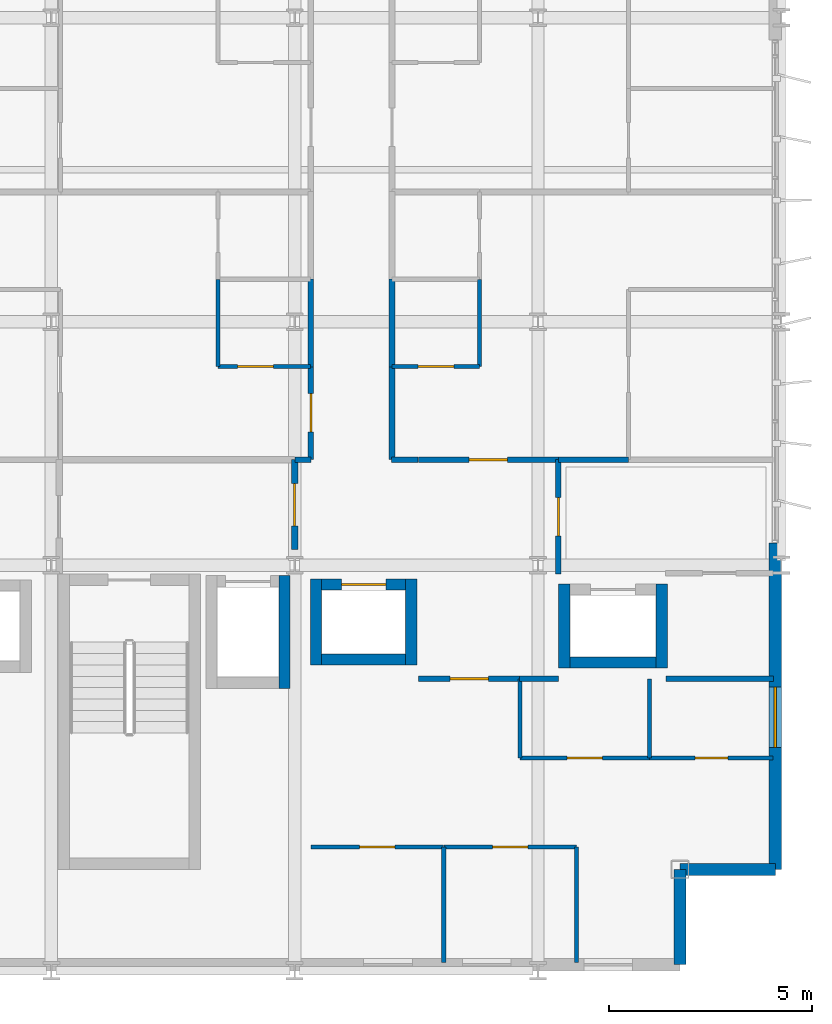
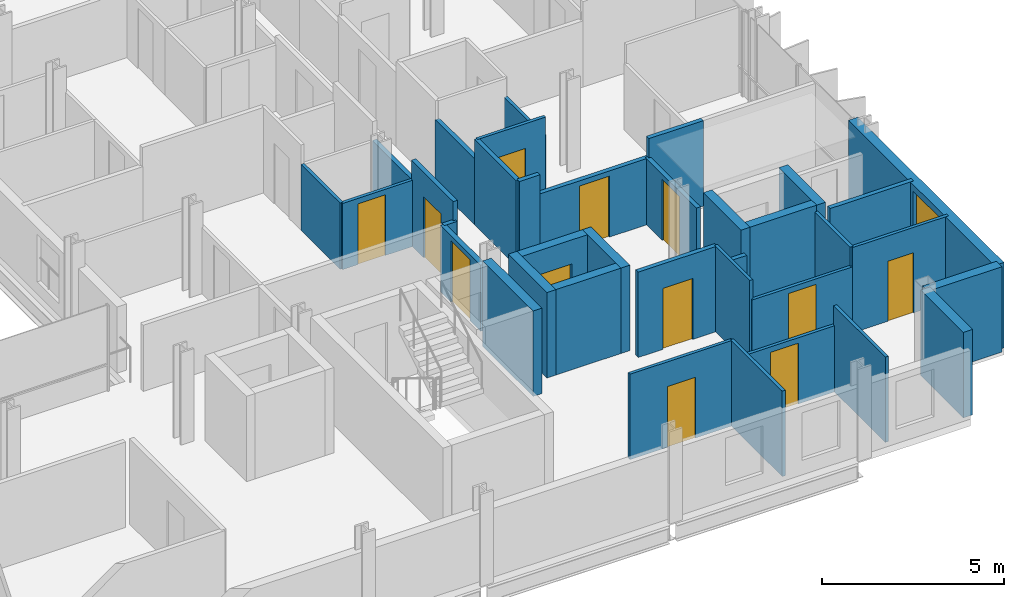
# One storey, part 31 of 39: 36 walls, 12 doors, 1 window, 13 openings.
"""IFC4 building model written with IfcOpenShell, lengths in metres."""

from ifc_helpers import new_model, si_unit, direction, frame, frame_2d, origin, place, context, subcontext, project, spatial, rectangle, extrude, material, layer, layer_set, type_object, element, fill, save


model = new_model("IFC4")

# Units and contexts
model_context = context("Model", 3, precision=1e-05, world=origin(), true_north=direction((0.0, 1.0)))
body_context = subcontext(model_context, "Body", "Model", "MODEL_VIEW")
ifc_project = project(units=[si_unit("LENGTHUNIT", "METRE"), si_unit("AREAUNIT", "SQUARE_METRE"), si_unit("VOLUMEUNIT", "CUBIC_METRE"), si_unit("PLANEANGLEUNIT", "RADIAN"), si_unit("MASSUNIT", "GRAM", prefix="KILO")], contexts=[model_context])

# Site, building, storey
site_placement = place(None, origin())
site = spatial("IfcSite", under=ifc_project, at=site_placement, CompositionType="ELEMENT")
building_placement = place(site_placement, origin())
building = spatial("IfcBuilding", under=site, at=building_placement, Name="Brevholm Reach", CompositionType="ELEMENT")
storey_placement = place(building_placement, frame((0.0, 0.0, 77.60009765625)))
storey = spatial("IfcBuildingStorey", under=building, at=storey_placement, Name="L22", CompositionType="ELEMENT", Elevation=77.60009765625)

# Walls
ifc_material_1 = material(Name="Concrete C50/60", Category="concrete")
ifc_layer_1 = layer(ifc_material_1, 0.280029296875)
ifc_layer_set_1 = layer_set([ifc_layer_1], Name="Concrete C50/60")
wall_type_1 = type_object("IfcWallType", Name="WAL-COR-280", PredefinedType="SHEAR", material=ifc_layer_set_1)
wall_1_placement = place(storey_placement, frame((47.75, 6.9599609375, 0.0), z_axis=(0.0, 0.0, 1.0), x_axis=(0.0, 1.0, 0.0)))
element("IfcWall", 1, at=wall_1_placement, inside=storey, type_object=wall_type_1, Name="L22 Lift FFL-2 Shaft Wall E", PredefinedType="SHEAR", context=body_context, shape_type="SweptSolid", body=[
    extrude(rectangle(XDim=2.780029296875, YDim=0.280029296875, at=frame_2d((1.39013671875, 0.0))), origin(), (0.0, 0.0, 1.0), 2.869873046875),
])
for number, where, z_axis, x_axis, name in (
    (2, (48.52490234375, 7.534912109375, 0.0), (0.0, 0.0, 1.0), (0.0, 1.0, 0.0), "L22 Lift PL-L1 Shaft Wall W"),
    (3, (50.875, 7.534912109375, 0.0), (0.0, 0.0, 1.0), (0.0, 1.0, 0.0), "L22 Lift PL-L1 Shaft Wall E"),
):
    element("IfcWall", number, at=place(storey_placement, frame(where, z_axis=z_axis, x_axis=x_axis)), inside=storey, type_object=wall_type_1, Name=name, PredefinedType="SHEAR", context=body_context, shape_type="SweptSolid", body=[
        extrude(rectangle(XDim=2.130126953125, YDim=0.280029296875, at=frame_2d((1.06494140625, 0.0))), origin(), (0.0, 0.0, 1.0), 2.869873046875),
    ])
wall_2_placement = place(storey_placement, frame((48.6650390625, 7.675048828125, 0.0), z_axis=(0.0, 0.0, 1.0), x_axis=(1.0, 0.0, 0.0)))
element("IfcWall", 4, at=wall_2_placement, inside=storey, type_object=wall_type_1, Name="L22 Lift PL-L1 Shaft Wall S", PredefinedType="SHEAR", context=body_context, shape_type="SweptSolid", body=[
    extrude(rectangle(XDim=2.070068359375, YDim=0.280029296875, at=frame_2d((1.03515625, 0.0))), origin(), (0.0, 0.0, 1.0), 2.869873046875),
])

# Wall, opening, door
wall_3_placement = place(storey_placement, frame((48.6650390625, 9.52490234375, 0.0), z_axis=(0.0, 0.0, 1.0), x_axis=(1.0, 0.0, 0.0)))
wall_3 = element("IfcWall", 5, at=wall_3_placement, inside=storey, type_object=wall_type_1, Name="L22 Lift PL-L1 Shaft Wall N", PredefinedType="SHEAR", context=body_context, shape_type="SweptSolid", body=[
    extrude(rectangle(XDim=2.070068359375, YDim=0.280029296875, at=frame_2d((1.03515625, 0.0))), origin(), (0.0, 0.0, 1.0), 2.869873046875),
])
opening_1_placement = place(wall_3_placement, frame((0.485107421875, 0.0, 0.0)))
opening_1 = element("IfcOpeningElement", 6, at=opening_1_placement, cuts=wall_3, Name="Opening LD-PL-L1", PredefinedType="OPENING", context=body_context, shape_type="SweptSolid", body=[
    extrude(rectangle(XDim=1.10009765625, YDim=2.06005859375, at=frame_2d((0.550048828125, 1.030029296875))), frame((0.0, 0.14990234375, 0.0), z_axis=(0.0, -1.0, 0.0), x_axis=(1.0, 0.0, 0.0)), (0.0, 0.0, 1.0), 0.300048828125),
])
ifc_material_2 = material(Name="Brushed Stainless Steel Fire-Rated Sliding Lift Door", Category="steel")
door_type_1 = type_object("IfcDoorType", Name="DOR-LFT-1100", OperationType="NOTDEFINED", PredefinedType="DOOR", material=ifc_material_2)
door_1_placement = place(opening_1_placement, origin())
door_1 = element("IfcDoor", 7, at=door_1_placement, inside=storey, type_object=door_type_1, Name="L22 Lift PL-L1 Sliding Landing Door", OperationType="SLIDING_TO_RIGHT", OverallHeight=2.06005859375, OverallWidth=1.10009765625, PredefinedType="DOOR", context=body_context, shape_type="SweptSolid", body=[
    extrude(rectangle(XDim=1.10009765625, YDim=2.06005859375, at=frame_2d((0.550048828125, 1.030029296875))), frame((0.0, 0.02490234375, 0.0), z_axis=(0.0, -1.0, 0.0), x_axis=(1.0, 0.0, 0.0)), (0.0, 0.0, 1.0), 0.050048828125),
])
fill(opening_1, door_1)

# Walls
for number, where, z_axis, x_axis, name in (
    (8, (54.64990234375, 7.4599609375, 0.0), (0.0, 0.0, 1.0), (0.0, 1.0, 0.0), "L22 Lift PL-L2 Shaft Wall W"),
    (9, (57.050048828125, 7.4599609375, 0.0), (0.0, 0.0, 1.0), (0.0, 1.0, 0.0), "L22 Lift PL-L2 Shaft Wall E"),
):
    element("IfcWall", number, at=place(storey_placement, frame(where, z_axis=z_axis, x_axis=x_axis)), inside=storey, type_object=wall_type_1, Name=name, PredefinedType="SHEAR", context=body_context, shape_type="SweptSolid", body=[
        extrude(rectangle(XDim=2.080078125, YDim=0.280029296875, at=frame_2d((1.0400390625, 0.0))), origin(), (0.0, 0.0, 1.0), 2.869873046875),
    ])
wall_4_placement = place(storey_placement, frame((54.7900390625, 7.60009765625, 0.0), z_axis=(0.0, 0.0, 1.0), x_axis=(1.0, 0.0, 0.0)))
element("IfcWall", 10, at=wall_4_placement, inside=storey, type_object=wall_type_1, Name="L22 Lift PL-L2 Shaft Wall S", PredefinedType="SHEAR", context=body_context, shape_type="SweptSolid", body=[
    extrude(rectangle(XDim=2.119873046875, YDim=0.280029296875, at=frame_2d((1.06005859375, 0.0))), origin(), (0.0, 0.0, 1.0), 2.869873046875),
])
ifc_material_3 = material(Name="Concrete C40/50", Category="concrete")
ifc_layer_2 = layer(ifc_material_3, 0.300048828125)
ifc_layer_set_2 = layer_set([ifc_layer_2], Name="Concrete C40/50")
wall_type_2 = type_object("IfcWallType", Name="WAL-EXT-300", PredefinedType="STANDARD", material=ifc_layer_set_2)
for number, where, z_axis, x_axis, name in (
    (11, (57.5, 0.14990234375, 0.0), (0.0, 0.0, 1.0), (0.0, 1.0, 0.0), "L22 Facade Wall WAL-L22-CSE1"),
    (12, (57.5, 2.5, 0.0), (0.0, 0.0, 1.0), (1.0, 0.0, 0.0), "L22 Facade Wall WAL-L22-CSE2"),
):
    element("IfcWall", number, at=place(storey_placement, frame(where, z_axis=z_axis, x_axis=x_axis)), inside=storey, type_object=wall_type_2, Name=name, PredefinedType="STANDARD", context=body_context, shape_type="SweptSolid", body=[
        extrude(rectangle(XDim=2.35009765625, YDim=0.300048828125, at=frame_2d((1.175048828125, 0.0))), origin(), (0.0, 0.0, 1.0), 2.869873046875),
    ])

# Wall, opening, window
wall_5_placement = place(storey_placement, frame((59.85009765625, 2.5, 0.0), z_axis=(0.0, 0.0, 1.0), x_axis=(0.0, 1.0, 0.0)))
wall_5 = element("IfcWall", 13, at=wall_5_placement, inside=storey, type_object=wall_type_2, Name="L22 Facade Wall WAL-L22-E-S", PredefinedType="STANDARD", context=body_context, shape_type="SweptSolid", body=[
    extrude(rectangle(XDim=8.050048828125, YDim=0.300048828125, at=frame_2d((4.02490234375, 0.0))), origin(), (0.0, 0.0, 1.0), 2.869873046875),
])
opening_2_placement = place(wall_5_placement, frame((3.0, 0.0, 0.85009765625)))
opening_2 = element("IfcOpeningElement", 14, at=opening_2_placement, cuts=wall_5, Name="Opening WN-05", PredefinedType="OPENING", context=body_context, shape_type="SweptSolid", body=[
    extrude(rectangle(XDim=1.5, YDim=1.800048828125, at=frame_2d((0.75, 0.89990234375))), frame((0.0, 0.159912109375, 0.0), z_axis=(0.0, -1.0, 0.0), x_axis=(1.0, 0.0, 0.0)), (0.0, 0.0, 1.0), 0.320068359375),
])
ifc_material_4 = material(Name="Dark Anodised Aluminium and Solar-Control IGU Glass", Category="aluminium")
window_type = type_object("IfcWindowType", Name="WIN-RES-1500", PartitioningType="SINGLE_PANEL", PredefinedType="WINDOW", material=ifc_material_4)
window_placement = place(opening_2_placement, origin())
window = element("IfcWindow", 15, at=window_placement, inside=storey, type_object=window_type, Name="L22 Window WIN-L22-ES-1", OverallHeight=1.800048828125, OverallWidth=1.5, PartitioningType="SINGLE_PANEL", PredefinedType="WINDOW", context=body_context, shape_type="SweptSolid", body=[
    extrude(rectangle(XDim=1.5, YDim=1.800048828125, at=frame_2d((0.75, 0.89990234375))), frame((0.0, 0.030029296875, 0.0), z_axis=(0.0, -1.0, 0.0), x_axis=(1.0, 0.0, 0.0)), (0.0, 0.0, 1.0), 0.06005859375),
])
fill(opening_2, window)

# Wall
ifc_material_5 = material(Name="Moisture-Resistant Acoustic Gypsum Stud Partition 100 mm", Category="gypsum")
ifc_layer_3 = layer(ifc_material_5, 0.10009765625)
ifc_layer_set_3 = layer_set([ifc_layer_3], Name="Moisture-Resistant Acoustic Gypsum Stud Partition 100 mm")
wall_type_3 = type_object("IfcWallType", Name="WAL-PRT-100", PredefinedType="PARTITIONING", material=ifc_layer_set_3)
wall_6_placement = place(storey_placement, frame((56.75, 5.25, 0.0), z_axis=(0.0, 0.0, 1.0), x_axis=(0.0, 1.0, 0.0)))
element("IfcWall", 16, at=wall_6_placement, inside=storey, type_object=wall_type_3, Name="L22 Internal Partition 083", PredefinedType="PARTITIONING", context=body_context, shape_type="SweptSolid", body=[
    extrude(rectangle(XDim=1.949951171875, YDim=0.10009765625, at=frame_2d((0.97509765625, 0.0))), origin(), (0.0, 0.0, 1.0), 2.869873046875),
])

# Wall, opening, door
wall_7_placement = place(storey_placement, frame((56.75, 5.25, 0.0), z_axis=(0.0, 0.0, 1.0), x_axis=(1.0, 0.0, 0.0)))
wall_7 = element("IfcWall", 17, at=wall_7_placement, inside=storey, type_object=wall_type_3, Name="L22 Internal Partition 084", PredefinedType="PARTITIONING", context=body_context, shape_type="SweptSolid", body=[
    extrude(rectangle(XDim=3.050048828125, YDim=0.10009765625, at=frame_2d((1.52490234375, 0.0))), origin(), (0.0, 0.0, 1.0), 2.869873046875),
])
opening_3_placement = place(wall_7_placement, frame((1.114990234375, 0.0, 0.0)))
opening_3 = element("IfcOpeningElement", 18, at=opening_3_placement, cuts=wall_7, Name="Opening ID-03", PredefinedType="OPENING", context=body_context, shape_type="SweptSolid", body=[
    extrude(rectangle(XDim=0.820068359375, YDim=2.02001953125, at=frame_2d((0.41015625, 1.010009765625))), frame((0.0, 0.06005859375, 0.0), z_axis=(0.0, -1.0, 0.0), x_axis=(1.0, 0.0, 0.0)), (0.0, 0.0, 1.0), 0.1201171875),
])
ifc_material_6 = material(Name="Moisture-Resistant Painted Timber Internal Bathroom Door", Category="wood")
door_type_2 = type_object("IfcDoorType", Name="DOR-BATH-820", OperationType="NOTDEFINED", PredefinedType="DOOR", material=ifc_material_6)
door_2_placement = place(opening_3_placement, origin())
door_2 = element("IfcDoor", 19, at=door_2_placement, inside=storey, type_object=door_type_2, Name="L22 Internal Door 032", OperationType="SINGLE_SWING_LEFT", OverallHeight=2.02001953125, OverallWidth=0.820068359375, PredefinedType="DOOR", context=body_context, shape_type="SweptSolid", body=[
    extrude(rectangle(XDim=0.820068359375, YDim=2.02001953125, at=frame_2d((0.41015625, 1.010009765625))), frame((0.0, 0.02490234375, 0.0), z_axis=(0.0, -1.0, 0.0), x_axis=(1.0, 0.0, 0.0)), (0.0, 0.0, 1.0), 0.050048828125),
])
fill(opening_3, door_2)

wall_8_placement = place(storey_placement, frame((53.55810546875, 5.25, 0.0), z_axis=(0.0, 0.0, 1.0), x_axis=(1.0, 0.0, 0.0)))
wall_8 = element("IfcWall", 20, at=wall_8_placement, inside=storey, type_object=wall_type_3, Name="L22 Internal Partition 085", PredefinedType="PARTITIONING", context=body_context, shape_type="SweptSolid", body=[
    extrude(rectangle(XDim=3.18798828125, YDim=0.10009765625, at=frame_2d((1.593994140625, 0.0))), origin(), (0.0, 0.0, 1.0), 2.224609375),
])
opening_4_placement = place(wall_8_placement, frame((1.154052734375, 0.0, 0.0)))
opening_4 = element("IfcOpeningElement", 21, at=opening_4_placement, cuts=wall_8, Name="Opening ID-01", PredefinedType="OPENING", context=body_context, shape_type="SweptSolid", body=[
    extrude(rectangle(XDim=0.8798828125, YDim=2.0400390625, at=frame_2d((0.43994140625, 1.02001953125))), frame((0.0, 0.06005859375, 0.0), z_axis=(0.0, -1.0, 0.0), x_axis=(1.0, 0.0, 0.0)), (0.0, 0.0, 1.0), 0.1201171875),
])
ifc_material_7 = material(Name="Lacquered Ash Solid-Core Acoustic Internal Door", Category="timber")
door_type_3 = type_object("IfcDoorType", Name="DOR-INT-880", OperationType="NOTDEFINED", PredefinedType="DOOR", material=ifc_material_7)
door_3_placement = place(opening_4_placement, origin())
door_3 = element("IfcDoor", 22, at=door_3_placement, inside=storey, type_object=door_type_3, Name="L22 Internal Door 033", OperationType="SINGLE_SWING_RIGHT", OverallHeight=2.0400390625, OverallWidth=0.8798828125, PredefinedType="DOOR", context=body_context, shape_type="SweptSolid", body=[
    extrude(rectangle(XDim=0.8798828125, YDim=2.0400390625, at=frame_2d((0.43994140625, 1.02001953125))), frame((0.0, 0.02490234375, 0.0), z_axis=(0.0, -1.0, 0.0), x_axis=(1.0, 0.0, 0.0)), (0.0, 0.0, 1.0), 0.050048828125),
])
fill(opening_4, door_3)

# Walls
wall_9_placement = place(storey_placement, frame((53.55810546875, 5.25, 0.0), z_axis=(0.0, 0.0, 1.0), x_axis=(0.0, 1.0, 0.0)))
element("IfcWall", 23, at=wall_9_placement, inside=storey, type_object=wall_type_3, Name="L22 Internal Partition 086", PredefinedType="PARTITIONING", context=body_context, shape_type="SweptSolid", body=[
    extrude(rectangle(XDim=1.946044921875, YDim=0.10009765625, at=frame_2d((0.97314453125, 0.0))), origin(), (0.0, 0.0, 1.0), 2.869873046875),
])
wall_10_placement = place(storey_placement, frame((51.675048828125, 0.199951171875, 0.0), z_axis=(0.0, 0.0, 1.0), x_axis=(0.0, 1.0, 0.0)))
element("IfcWall", 24, at=wall_10_placement, inside=storey, type_object=wall_type_3, Name="L22 Internal Partition 087", PredefinedType="PARTITIONING", context=body_context, shape_type="SweptSolid", body=[
    extrude(rectangle(XDim=2.85009765625, YDim=0.10009765625, at=frame_2d((1.425048828125, 0.0))), origin(), (0.0, 0.0, 1.0), 2.869873046875),
])

# Wall, opening, door
wall_11_placement = place(storey_placement, frame((48.39990234375, 3.050048828125, 0.0), z_axis=(0.0, 0.0, 1.0), x_axis=(1.0, 0.0, 0.0)))
wall_11 = element("IfcWall", 25, at=wall_11_placement, inside=storey, type_object=wall_type_3, Name="L22 Internal Partition 088", PredefinedType="PARTITIONING", context=body_context, shape_type="SweptSolid", body=[
    extrude(rectangle(XDim=3.275146484375, YDim=0.10009765625, at=frame_2d((1.6376953125, 0.0))), origin(), (0.0, 0.0, 1.0), 2.869873046875),
])
opening_5_placement = place(wall_11_placement, frame((1.197509765625, 0.0, 0.0)))
opening_5 = element("IfcOpeningElement", 26, at=opening_5_placement, cuts=wall_11, Name="Opening ID-01", PredefinedType="OPENING", context=body_context, shape_type="SweptSolid", body=[
    extrude(rectangle(XDim=0.8798828125, YDim=2.0400390625, at=frame_2d((0.43994140625, 1.02001953125))), frame((0.0, 0.06005859375, 0.0), z_axis=(0.0, -1.0, 0.0), x_axis=(1.0, 0.0, 0.0)), (0.0, 0.0, 1.0), 0.1201171875),
])
door_4_placement = place(opening_5_placement, origin())
door_4 = element("IfcDoor", 27, at=door_4_placement, inside=storey, type_object=door_type_3, Name="L22 Internal Door 034", OperationType="SINGLE_SWING_LEFT", OverallHeight=2.0400390625, OverallWidth=0.8798828125, PredefinedType="DOOR", context=body_context, shape_type="SweptSolid", body=[
    extrude(rectangle(XDim=0.8798828125, YDim=2.0400390625, at=frame_2d((0.43994140625, 1.02001953125))), frame((0.0, 0.02490234375, 0.0), z_axis=(0.0, -1.0, 0.0), x_axis=(1.0, 0.0, 0.0)), (0.0, 0.0, 1.0), 0.050048828125),
])
fill(opening_5, door_4)

# Wall
wall_12_placement = place(storey_placement, frame((54.949951171875, 0.199951171875, 0.0), z_axis=(0.0, 0.0, 1.0), x_axis=(0.0, 1.0, 0.0)))
element("IfcWall", 28, at=wall_12_placement, inside=storey, type_object=wall_type_3, Name="L22 Internal Partition 089", PredefinedType="PARTITIONING", context=body_context, shape_type="SweptSolid", body=[
    extrude(rectangle(XDim=2.85009765625, YDim=0.10009765625, at=frame_2d((1.425048828125, 0.0))), origin(), (0.0, 0.0, 1.0), 2.869873046875),
])

# Wall, opening, door
wall_13_placement = place(storey_placement, frame((51.678955078125, 3.050048828125, 0.0), z_axis=(0.0, 0.0, 1.0), x_axis=(1.0, 0.0, 0.0)))
wall_13 = element("IfcWall", 29, at=wall_13_placement, inside=storey, type_object=wall_type_3, Name="L22 Internal Partition 090", PredefinedType="PARTITIONING", context=body_context, shape_type="SweptSolid", body=[
    extrude(rectangle(XDim=3.27099609375, YDim=0.10009765625, at=frame_2d((1.635498046875, 0.0))), origin(), (0.0, 0.0, 1.0), 2.224609375),
])
opening_6_placement = place(wall_13_placement, frame((1.195556640625, 0.0, 0.0)))
opening_6 = element("IfcOpeningElement", 30, at=opening_6_placement, cuts=wall_13, Name="Opening ID-01", PredefinedType="OPENING", context=body_context, shape_type="SweptSolid", body=[
    extrude(rectangle(XDim=0.8798828125, YDim=2.0400390625, at=frame_2d((0.43994140625, 1.02001953125))), frame((0.0, 0.06005859375, 0.0), z_axis=(0.0, -1.0, 0.0), x_axis=(1.0, 0.0, 0.0)), (0.0, 0.0, 1.0), 0.1201171875),
])
door_5_placement = place(opening_6_placement, origin())
door_5 = element("IfcDoor", 31, at=door_5_placement, inside=storey, type_object=door_type_3, Name="L22 Internal Door 035", OperationType="SINGLE_SWING_RIGHT", OverallHeight=2.0400390625, OverallWidth=0.8798828125, PredefinedType="DOOR", context=body_context, shape_type="SweptSolid", body=[
    extrude(rectangle(XDim=0.8798828125, YDim=2.0400390625, at=frame_2d((0.43994140625, 1.02001953125))), frame((0.0, 0.02490234375, 0.0), z_axis=(0.0, -1.0, 0.0), x_axis=(1.0, 0.0, 0.0)), (0.0, 0.0, 1.0), 0.050048828125),
])
fill(opening_6, door_5)

wall_14_placement = place(storey_placement, frame((46.112060546875, 14.89990234375, 0.0), z_axis=(0.0, 0.0, 1.0), x_axis=(1.0, 0.0, 0.0)))
wall_14 = element("IfcWall", 32, at=wall_14_placement, inside=storey, type_object=wall_type_3, Name="L22 Internal Partition 133", PredefinedType="PARTITIONING", context=body_context, shape_type="SweptSolid", body=[
    extrude(rectangle(XDim=2.283935546875, YDim=0.10009765625, at=frame_2d((1.14208984375, 0.0))), origin(), (0.0, 0.0, 1.0), 2.224609375),
])
opening_7_placement = place(wall_14_placement, frame((0.48193359375, 0.0, 0.0)))
opening_7 = element("IfcOpeningElement", 33, at=opening_7_placement, cuts=wall_14, Name="Opening ID-01", PredefinedType="OPENING", context=body_context, shape_type="SweptSolid", body=[
    extrude(rectangle(XDim=0.8798828125, YDim=2.0400390625, at=frame_2d((0.43994140625, 1.02001953125))), frame((0.0, 0.06005859375, 0.0), z_axis=(0.0, -1.0, 0.0), x_axis=(1.0, 0.0, 0.0)), (0.0, 0.0, 1.0), 0.1201171875),
])
door_6_placement = place(opening_7_placement, origin())
door_6 = element("IfcDoor", 34, at=door_6_placement, inside=storey, type_object=door_type_3, Name="L22 Internal Door 051", OperationType="SINGLE_SWING_RIGHT", OverallHeight=2.0400390625, OverallWidth=0.8798828125, PredefinedType="DOOR", context=body_context, shape_type="SweptSolid", body=[
    extrude(rectangle(XDim=0.8798828125, YDim=2.0400390625, at=frame_2d((0.43994140625, 1.02001953125))), frame((0.0, 0.02490234375, 0.0), z_axis=(0.0, -1.0, 0.0), x_axis=(1.0, 0.0, 0.0)), (0.0, 0.0, 1.0), 0.050048828125),
])
fill(opening_7, door_6)

# Wall
wall_15_placement = place(storey_placement, frame((46.112060546875, 14.89990234375, 0.0), z_axis=(0.0, 0.0, 1.0), x_axis=(0.0, 1.0, 0.0)))
element("IfcWall", 35, at=wall_15_placement, inside=storey, type_object=wall_type_3, Name="L22 Internal Partition 134", PredefinedType="PARTITIONING", context=body_context, shape_type="SweptSolid", body=[
    extrude(rectangle(XDim=2.14599609375, YDim=0.10009765625, at=frame_2d((1.072998046875, 0.0))), origin(), (0.0, 0.0, 1.0), 2.224609375),
])

# Wall, opening, door
wall_16_placement = place(storey_placement, frame((50.404052734375, 14.89990234375, 0.0), z_axis=(0.0, 0.0, 1.0), x_axis=(1.0, 0.0, 0.0)))
wall_16 = element("IfcWall", 36, at=wall_16_placement, inside=storey, type_object=wall_type_3, Name="L22 Internal Partition 150", PredefinedType="PARTITIONING", context=body_context, shape_type="SweptSolid", body=[
    extrude(rectangle(XDim=2.157958984375, YDim=0.10009765625, at=frame_2d((1.0791015625, 0.0))), origin(), (0.0, 0.0, 1.0), 2.869873046875),
])
opening_8_placement = place(wall_16_placement, frame((0.638916015625, 0.0, 0.0)))
opening_8 = element("IfcOpeningElement", 37, at=opening_8_placement, cuts=wall_16, Name="Opening ID-01", PredefinedType="OPENING", context=body_context, shape_type="SweptSolid", body=[
    extrude(rectangle(XDim=0.8798828125, YDim=2.0400390625, at=frame_2d((0.43994140625, 1.02001953125))), frame((0.0, 0.06005859375, 0.0), z_axis=(0.0, -1.0, 0.0), x_axis=(1.0, 0.0, 0.0)), (0.0, 0.0, 1.0), 0.1201171875),
])
door_7_placement = place(opening_8_placement, origin())
door_7 = element("IfcDoor", 38, at=door_7_placement, inside=storey, type_object=door_type_3, Name="L22 Internal Door 058", OperationType="SINGLE_SWING_LEFT", OverallHeight=2.0400390625, OverallWidth=0.8798828125, PredefinedType="DOOR", context=body_context, shape_type="SweptSolid", body=[
    extrude(rectangle(XDim=0.8798828125, YDim=2.0400390625, at=frame_2d((0.43994140625, 1.02001953125))), frame((0.0, 0.02490234375, 0.0), z_axis=(0.0, -1.0, 0.0), x_axis=(1.0, 0.0, 0.0)), (0.0, 0.0, 1.0), 0.050048828125),
])
fill(opening_8, door_7)

# Wall
wall_17_placement = place(storey_placement, frame((52.56201171875, 14.89990234375, 0.0), z_axis=(0.0, 0.0, 1.0), x_axis=(0.0, 1.0, 0.0)))
element("IfcWall", 39, at=wall_17_placement, inside=storey, type_object=wall_type_3, Name="L22 Internal Partition 151", PredefinedType="PARTITIONING", context=body_context, shape_type="SweptSolid", body=[
    extrude(rectangle(XDim=2.14599609375, YDim=0.10009765625, at=frame_2d((1.072998046875, 0.0))), origin(), (0.0, 0.0, 1.0), 2.224609375),
])

# Wall, opening, door
ifc_material_8 = material(Name="Twin-Stud Acoustic Fire-Rated Gypsum Partition 140 mm", Category="gypsum")
ifc_layer_4 = layer(ifc_material_8, 0.139892578125)
ifc_layer_set_4 = layer_set([ifc_layer_4], Name="Twin-Stud Acoustic Fire-Rated Gypsum Partition 140 mm")
wall_type_4 = type_object("IfcWallType", Name="WAL-PRT-140", PredefinedType="PARTITIONING", material=ifc_layer_set_4)
wall_18_placement = place(storey_placement, frame((54.5, 9.788818359375, 0.0), z_axis=(0.0, 0.0, 1.0), x_axis=(0.0, 1.0, 0.0)))
wall_18 = element("IfcWall", 40, at=wall_18_placement, inside=storey, type_object=wall_type_4, Name="L22 Internal Partition 013", PredefinedType="PARTITIONING", context=body_context, shape_type="SweptSolid", body=[
    extrude(rectangle(XDim=2.811279296875, YDim=0.139892578125, at=frame_2d((1.40576171875, 0.0))), origin(), (0.0, 0.0, 1.0), 2.224609375),
])
opening_9_placement = place(wall_18_placement, frame((0.9306640625, 0.0, 0.0)))
opening_9 = element("IfcOpeningElement", 41, at=opening_9_placement, cuts=wall_18, Name="Opening ID-30", PredefinedType="OPENING", context=body_context, shape_type="SweptSolid", body=[
    extrude(rectangle(XDim=0.949951171875, YDim=2.050048828125, at=frame_2d((0.47509765625, 1.02490234375))), frame((0.0, 0.079833984375, 0.0), z_axis=(0.0, -1.0, 0.0), x_axis=(1.0, 0.0, 0.0)), (0.0, 0.0, 1.0), 0.159912109375),
])
ifc_material_9 = material(Name="European Oak Veneered Solid-Core Fire Entrance Door", Category="timber")
door_type_4 = type_object("IfcDoorType", Name="DOR-FLT-FD30S", OperationType="NOTDEFINED", PredefinedType="DOOR", material=ifc_material_9)
door_8_placement = place(opening_9_placement, origin())
door_8 = element("IfcDoor", 42, at=door_8_placement, inside=storey, type_object=door_type_4, Name="L22 Internal Door 008", OperationType="SINGLE_SWING_LEFT", OverallHeight=2.050048828125, OverallWidth=0.949951171875, PredefinedType="DOOR", context=body_context, shape_type="SweptSolid", body=[
    extrude(rectangle(XDim=0.949951171875, YDim=2.050048828125, at=frame_2d((0.47509765625, 1.02490234375))), frame((0.0, 0.02490234375, 0.0), z_axis=(0.0, -1.0, 0.0), x_axis=(1.0, 0.0, 0.0)), (0.0, 0.0, 1.0), 0.050048828125),
])
fill(opening_9, door_8)

# Wall
wall_19_placement = place(storey_placement, frame((53.546630859375, 7.199951171875, 0.0), z_axis=(0.0, 0.0, 1.0), x_axis=(1.0, 0.0, 0.0)))
element("IfcWall", 43, at=wall_19_placement, inside=storey, type_object=wall_type_4, Name="L22 Internal Partition 014", PredefinedType="PARTITIONING", context=body_context, shape_type="SweptSolid", body=[
    extrude(rectangle(XDim=0.953369140625, YDim=0.139892578125, at=frame_2d((0.4765625, 0.0))), origin(), (0.0, 0.0, 1.0), 2.224609375),
])

# Wall, opening, door
wall_20_placement = place(storey_placement, frame((51.050048828125, 7.199951171875, 0.0), z_axis=(0.0, 0.0, 1.0), x_axis=(1.0, 0.0, 0.0)))
wall_20 = element("IfcWall", 44, at=wall_20_placement, inside=storey, type_object=wall_type_4, Name="L22 Internal Partition 015", PredefinedType="PARTITIONING", context=body_context, shape_type="SweptSolid", body=[
    extrude(rectangle(XDim=2.51513671875, YDim=0.139892578125, at=frame_2d((1.257568359375, 0.0))), origin(), (0.0, 0.0, 1.0), 2.869873046875),
])
opening_10_placement = place(wall_20_placement, frame((0.78271484375, 0.0, 0.0)))
opening_10 = element("IfcOpeningElement", 45, at=opening_10_placement, cuts=wall_20, Name="Opening ID-30", PredefinedType="OPENING", context=body_context, shape_type="SweptSolid", body=[
    extrude(rectangle(XDim=0.949951171875, YDim=2.050048828125, at=frame_2d((0.47509765625, 1.02490234375))), frame((0.0, 0.079833984375, 0.0), z_axis=(0.0, -1.0, 0.0), x_axis=(1.0, 0.0, 0.0)), (0.0, 0.0, 1.0), 0.159912109375),
])
door_9_placement = place(opening_10_placement, origin())
door_9 = element("IfcDoor", 46, at=door_9_placement, inside=storey, type_object=door_type_4, Name="L22 Internal Door 009", OperationType="SINGLE_SWING_RIGHT", OverallHeight=2.050048828125, OverallWidth=0.949951171875, PredefinedType="DOOR", context=body_context, shape_type="SweptSolid", body=[
    extrude(rectangle(XDim=0.949951171875, YDim=2.050048828125, at=frame_2d((0.47509765625, 1.02490234375))), frame((0.0, 0.02490234375, 0.0), z_axis=(0.0, -1.0, 0.0), x_axis=(1.0, 0.0, 0.0)), (0.0, 0.0, 1.0), 0.050048828125),
])
fill(opening_10, door_9)

wall_21_placement = place(storey_placement, frame((51.050048828125, 12.60009765625, 0.0), z_axis=(0.0, 0.0, 1.0), x_axis=(1.0, 0.0, 0.0)))
wall_21 = element("IfcWall", 47, at=wall_21_placement, inside=storey, type_object=wall_type_4, Name="L22 Internal Partition 016", PredefinedType="PARTITIONING", context=body_context, shape_type="SweptSolid", body=[
    extrude(rectangle(XDim=3.449951171875, YDim=0.139892578125, at=frame_2d((1.72509765625, 0.0))), origin(), (0.0, 0.0, 1.0), 2.224609375),
])
opening_11_placement = place(wall_21_placement, frame((1.25, 0.0, 0.0)))
opening_11 = element("IfcOpeningElement", 48, at=opening_11_placement, cuts=wall_21, Name="Opening ID-30", PredefinedType="OPENING", context=body_context, shape_type="SweptSolid", body=[
    extrude(rectangle(XDim=0.949951171875, YDim=2.050048828125, at=frame_2d((0.47509765625, 1.02490234375))), frame((0.0, 0.079833984375, 0.0), z_axis=(0.0, -1.0, 0.0), x_axis=(1.0, 0.0, 0.0)), (0.0, 0.0, 1.0), 0.159912109375),
])
door_10_placement = place(opening_11_placement, origin())
door_10 = element("IfcDoor", 49, at=door_10_placement, inside=storey, type_object=door_type_4, Name="L22 Internal Door 010", OperationType="SINGLE_SWING_LEFT", OverallHeight=2.050048828125, OverallWidth=0.949951171875, PredefinedType="DOOR", context=body_context, shape_type="SweptSolid", body=[
    extrude(rectangle(XDim=0.949951171875, YDim=2.050048828125, at=frame_2d((0.47509765625, 1.02490234375))), frame((0.0, 0.02490234375, 0.0), z_axis=(0.0, -1.0, 0.0), x_axis=(1.0, 0.0, 0.0)), (0.0, 0.0, 1.0), 0.050048828125),
])
fill(opening_11, door_10)

# Walls
wall_22_placement = place(storey_placement, frame((48.00390625, 12.60009765625, 0.0), z_axis=(0.0, 0.0, 1.0), x_axis=(1.0, 0.0, 0.0)))
element("IfcWall", 50, at=wall_22_placement, inside=storey, type_object=wall_type_4, Name="L22 Internal Partition 031", PredefinedType="PARTITIONING", context=body_context, shape_type="SweptSolid", body=[
    extrude(rectangle(XDim=0.4033203125, YDim=0.139892578125, at=frame_2d((0.20166015625, 0.0))), origin(), (0.0, 0.0, 1.0), 2.224609375),
])
wall_23_placement = place(storey_placement, frame((50.392578125, 12.60009765625, 0.0), z_axis=(0.0, 0.0, 1.0), x_axis=(1.0, 0.0, 0.0)))
element("IfcWall", 51, at=wall_23_placement, inside=storey, type_object=wall_type_4, Name="L22 Internal Partition 032", PredefinedType="PARTITIONING", context=body_context, shape_type="SweptSolid", body=[
    extrude(rectangle(XDim=0.6533203125, YDim=0.139892578125, at=frame_2d((0.32666015625, 0.0))), origin(), (0.0, 0.0, 1.0), 2.869873046875),
])
wall_24_placement = place(storey_placement, frame((48.39990234375, 14.888671875, 0.0), z_axis=(0.0, 0.0, 1.0), x_axis=(0.0, 1.0, 0.0)))
element("IfcWall", 52, at=wall_24_placement, inside=storey, type_object=wall_type_4, Name="L22 Internal Partition 047", PredefinedType="PARTITIONING", context=body_context, shape_type="SweptSolid", body=[
    extrude(rectangle(XDim=2.168701171875, YDim=0.139892578125, at=frame_2d((1.08447265625, 0.0))), origin(), (0.0, 0.0, 1.0), 2.224609375),
])

# Wall, opening, door
wall_25_placement = place(storey_placement, frame((48.39990234375, 12.60400390625, 0.0), z_axis=(0.0, 0.0, 1.0), x_axis=(0.0, 1.0, 0.0)))
wall_25 = element("IfcWall", 53, at=wall_25_placement, inside=storey, type_object=wall_type_4, Name="L22 Internal Partition 048", PredefinedType="PARTITIONING", context=body_context, shape_type="SweptSolid", body=[
    extrude(rectangle(XDim=2.30322265625, YDim=0.139892578125, at=frame_2d((1.151611328125, 0.0))), origin(), (0.0, 0.0, 1.0), 2.869873046875),
])
opening_12_placement = place(wall_25_placement, frame((0.6767578125, 0.0, 0.0)))
opening_12 = element("IfcOpeningElement", 54, at=opening_12_placement, cuts=wall_25, Name="Opening ID-30", PredefinedType="OPENING", context=body_context, shape_type="SweptSolid", body=[
    extrude(rectangle(XDim=0.949951171875, YDim=2.050048828125, at=frame_2d((0.47509765625, 1.02490234375))), frame((0.0, 0.079833984375, 0.0), z_axis=(0.0, -1.0, 0.0), x_axis=(1.0, 0.0, 0.0)), (0.0, 0.0, 1.0), 0.159912109375),
])
door_11_placement = place(opening_12_placement, origin())
door_11 = element("IfcDoor", 55, at=door_11_placement, inside=storey, type_object=door_type_4, Name="L22 Internal Door 022", OperationType="SINGLE_SWING_LEFT", OverallHeight=2.050048828125, OverallWidth=0.949951171875, PredefinedType="DOOR", context=body_context, shape_type="SweptSolid", body=[
    extrude(rectangle(XDim=0.949951171875, YDim=2.050048828125, at=frame_2d((0.47509765625, 1.02490234375))), frame((0.0, 0.02490234375, 0.0), z_axis=(0.0, -1.0, 0.0), x_axis=(1.0, 0.0, 0.0)), (0.0, 0.0, 1.0), 0.050048828125),
])
fill(opening_12, door_11)

# Walls
wall_26_placement = place(storey_placement, frame((50.39990234375, 14.888671875, 0.0), z_axis=(0.0, 0.0, 1.0), x_axis=(0.0, 1.0, 0.0)))
element("IfcWall", 56, at=wall_26_placement, inside=storey, type_object=wall_type_4, Name="L22 Internal Partition 053", PredefinedType="PARTITIONING", context=body_context, shape_type="SweptSolid", body=[
    extrude(rectangle(XDim=2.168701171875, YDim=0.139892578125, at=frame_2d((1.08447265625, 0.0))), origin(), (0.0, 0.0, 1.0), 2.224609375),
])
wall_27_placement = place(storey_placement, frame((50.39990234375, 12.60400390625, 0.0), z_axis=(0.0, 0.0, 1.0), x_axis=(0.0, 1.0, 0.0)))
element("IfcWall", 57, at=wall_27_placement, inside=storey, type_object=wall_type_4, Name="L22 Internal Partition 054", PredefinedType="PARTITIONING", context=body_context, shape_type="SweptSolid", body=[
    extrude(rectangle(XDim=2.30322265625, YDim=0.139892578125, at=frame_2d((1.151611328125, 0.0))), origin(), (0.0, 0.0, 1.0), 2.869873046875),
])
wall_28_placement = place(storey_placement, frame((54.50390625, 12.60009765625, 0.0), z_axis=(0.0, 0.0, 1.0), x_axis=(1.0, 0.0, 0.0)))
element("IfcWall", 58, at=wall_28_placement, inside=storey, type_object=wall_type_4, Name="L22 Internal Partition 081", PredefinedType="PARTITIONING", context=body_context, shape_type="SweptSolid", body=[
    extrude(rectangle(XDim=1.7314453125, YDim=0.139892578125, at=frame_2d((0.86572265625, 0.0))), origin(), (0.0, 0.0, 1.0), 2.869873046875),
])
wall_29_placement = place(storey_placement, frame((57.14990234375, 7.199951171875, 0.0), z_axis=(0.0, 0.0, 1.0), x_axis=(1.0, 0.0, 0.0)))
element("IfcWall", 59, at=wall_29_placement, inside=storey, type_object=wall_type_4, Name="L22 Internal Partition 082", PredefinedType="PARTITIONING", context=body_context, shape_type="SweptSolid", body=[
    extrude(rectangle(XDim=2.650146484375, YDim=0.139892578125, at=frame_2d((1.3251953125, 0.0))), origin(), (0.0, 0.0, 1.0), 2.869873046875),
])

# Wall, opening, door
ifc_material_10 = material(Name="Twin-Frame Fire-Rated Gypsum Board and Mineral Wool 160 mm", Category="gypsum")
ifc_layer_5 = layer(ifc_material_10, 0.159912109375)
ifc_layer_set_5 = layer_set([ifc_layer_5], Name="Twin-Frame Fire-Rated Gypsum Board and Mineral Wool 160 mm")
wall_type_5 = type_object("IfcWallType", Name="WAL-PRT-160", PredefinedType="PARTITIONING", material=ifc_layer_set_5)
wall_30_placement = place(storey_placement, frame((48.0, 10.388671875, 0.0), z_axis=(0.0, 0.0, 1.0), x_axis=(0.0, 1.0, 0.0)))
wall_30 = element("IfcWall", 60, at=wall_30_placement, inside=storey, type_object=wall_type_5, Name="L22 Internal Partition 023", PredefinedType="PARTITIONING", context=body_context, shape_type="SweptSolid", body=[
    extrude(rectangle(XDim=2.21142578125, YDim=0.159912109375, at=frame_2d((1.105712890625, 0.0))), origin(), (0.0, 0.0, 1.0), 2.224609375),
])
opening_13_placement = place(wall_30_placement, frame((0.58056640625, 0.0, 0.0)))
opening_13 = element("IfcOpeningElement", 61, at=opening_13_placement, cuts=wall_30, Name="Opening FD-01", PredefinedType="OPENING", context=body_context, shape_type="SweptSolid", body=[
    extrude(rectangle(XDim=1.050048828125, YDim=2.06005859375, at=frame_2d((0.52490234375, 1.030029296875))), frame((0.0, 0.08984375, 0.0), z_axis=(0.0, -1.0, 0.0), x_axis=(1.0, 0.0, 0.0)), (0.0, 0.0, 1.0), 0.179931640625),
])
ifc_material_11 = material(Name="Hardwood-Lipped Steel-Core Fire and Smoke Door", Category="steel")
door_type_5 = type_object("IfcDoorType", Name="DOR-INT-FD60S", OperationType="NOTDEFINED", PredefinedType="DOOR", material=ifc_material_11)
door_12_placement = place(opening_13_placement, origin())
door_12 = element("IfcDoor", 62, at=door_12_placement, inside=storey, type_object=door_type_5, Name="L22 Internal Door 014", OperationType="SINGLE_SWING_LEFT", OverallHeight=2.06005859375, OverallWidth=1.050048828125, PredefinedType="DOOR", context=body_context, shape_type="SweptSolid", body=[
    extrude(rectangle(XDim=1.050048828125, YDim=2.06005859375, at=frame_2d((0.52490234375, 1.030029296875))), frame((0.0, 0.02490234375, 0.0), z_axis=(0.0, -1.0, 0.0), x_axis=(1.0, 0.0, 0.0)), (0.0, 0.0, 1.0), 0.050048828125),
])
fill(opening_13, door_12)

save(model, "model.ifc")
